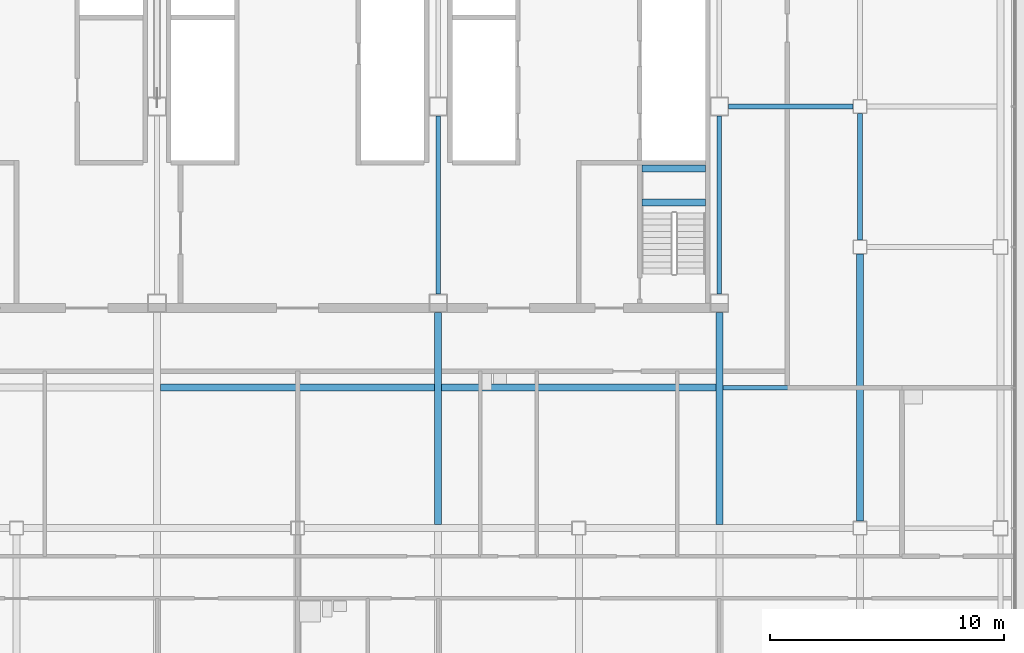
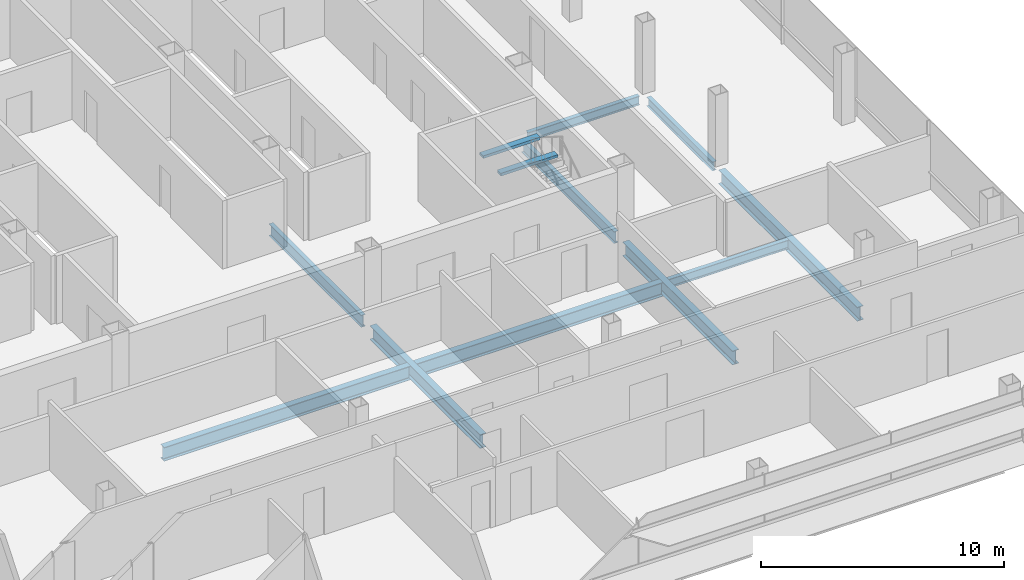
# One storey, part 10 of 26: 12 beams.
"""IFC4 building model written with IfcOpenShell, lengths in metres."""

from ifc_helpers import new_model, si_unit, direction, frame, origin, origin_2d, place, context, subcontext, project, spatial, rectangle, i_section, extrude, material, material_profile, profile_set, type_object, element, save


model = new_model("IFC4")

# Units and contexts
model_context = context("Model", 3, precision=1e-05, world=origin(), true_north=direction((0.0, 1.0)))
body_context = subcontext(model_context, "Body", "Model", "MODEL_VIEW")
ifc_project = project(units=[si_unit("LENGTHUNIT", "METRE"), si_unit("AREAUNIT", "SQUARE_METRE"), si_unit("VOLUMEUNIT", "CUBIC_METRE"), si_unit("PLANEANGLEUNIT", "RADIAN"), si_unit("MASSUNIT", "GRAM", prefix="KILO")], contexts=[model_context])

# Site, building, storey
site_placement = place(None, origin())
site = spatial("IfcSite", under=ifc_project, at=site_placement, CompositionType="ELEMENT")
building_placement = place(site_placement, origin())
building = spatial("IfcBuilding", under=site, at=building_placement, Name="Sorahane Residences", CompositionType="ELEMENT")
storey_placement = place(building_placement, frame((0.0, 0.0, 215.39990234375)))
storey = spatial("IfcBuildingStorey", under=building, at=storey_placement, Name="L50", CompositionType="ELEMENT", Elevation=215.39990234375)

# Beams
ifc_material_1 = material(Name="Concrete C40", Category="concrete")
ifc_material_profile_1 = material_profile(ifc_material_1, rectangle(XDim=0.300048828125, YDim=0.139892578125, at=origin_2d()), Name="300x140")
ifc_profile_set_1 = profile_set([ifc_material_profile_1], Name="Concrete C40")
beam_type_1 = type_object("IfcBeamType", Name="RC landing beam 300 x 140 Concrete C40", PredefinedType="BEAM", material=ifc_profile_set_1)
for number, where, z_axis, x_axis, name in (
    (1, (38.699951171875, 25.89990234375, 1.530029296875), (1.0, 0.0, 0.0), (0.0, 1.0, 0.0), "Landing beam"),
    (2, (38.699951171875, 27.35009765625, 1.530029296875), (1.0, 0.0, 0.0), (0.0, 1.0, 0.0), "Landing beam"),
):
    element("IfcBeam", number, at=place(storey_placement, frame(where, z_axis=z_axis, x_axis=x_axis)), inside=storey, type_object=beam_type_1, Name=name, PredefinedType="BEAM", context=body_context, shape_type="SweptSolid", body=[
        extrude(rectangle(XDim=0.300048828125, YDim=0.139892578125, at=origin_2d()), origin(), (0.0, 0.0, 1.0), 2.699951171875),
    ])
ifc_material_2 = material(Name="Steel Q355B", Category="steel")
ifc_material_profile_2 = material_profile(ifc_material_2, i_section(OverallWidth=0.199951171875, OverallDepth=0.449951171875, WebThickness=0.009033203125, FlangeThickness=0.013916015625, FilletRadius=0.02001953125, at=origin_2d()), Name="HN 450x200x9x14")
ifc_profile_set_2 = profile_set([ifc_material_profile_2], Name="Steel Q355B")
beam_type_2 = type_object("IfcBeamType", Name="Steel floor beam HN 450x200x9x14 Q355B", PredefinedType="BEAM", material=ifc_profile_set_2)
beam_1_placement = place(storey_placement, frame((48.0, 24.300048828125, -0.40478515625), z_axis=(0.0, 1.0, 0.0), x_axis=(-1.0, 0.0, 0.0)))
element("IfcBeam", 3, at=beam_1_placement, inside=storey, type_object=beam_type_2, Name="Beam L50 060", PredefinedType="BEAM", context=body_context, shape_type="SweptSolid", body=[
    extrude(i_section(OverallWidth=0.199951171875, OverallDepth=0.449951171875, WebThickness=0.009033203125, FlangeThickness=0.013916015625, FilletRadius=0.02001953125, at=origin_2d()), origin(), (0.0, 0.0, 1.0), 5.39990234375),
])
beam_2_placement = place(storey_placement, frame((42.14990234375, 18.0, -0.40478515625), z_axis=(1.0, 0.0, 0.0), x_axis=(0.0, 1.0, 0.0)))
element("IfcBeam", 4, at=beam_2_placement, inside=storey, type_object=beam_type_2, Name="Beam L50 083", PredefinedType="BEAM", context=body_context, shape_type="SweptSolid", body=[
    extrude(i_section(OverallWidth=0.199951171875, OverallDepth=0.449951171875, WebThickness=0.009033203125, FlangeThickness=0.013916015625, FilletRadius=0.02001953125, at=origin_2d()), origin(), (0.0, 0.0, 1.0), 5.7001953125),
])
beam_3_placement = place(storey_placement, frame((42.39990234375, 30.0, -0.40478515625), z_axis=(1.0, 0.0, 0.0), x_axis=(0.0, 1.0, 0.0)))
element("IfcBeam", 5, at=beam_3_placement, inside=storey, type_object=beam_type_2, Name="Beam L50 087", PredefinedType="BEAM", context=body_context, shape_type="SweptSolid", body=[
    extrude(i_section(OverallWidth=0.199951171875, OverallDepth=0.449951171875, WebThickness=0.009033203125, FlangeThickness=0.013916015625, FilletRadius=0.02001953125, at=origin_2d()), origin(), (0.0, 0.0, 1.0), 5.300048828125),
])
ifc_material_3 = material(Name="Steel Q355B", Category="steel")
ifc_material_profile_3 = material_profile(ifc_material_3, i_section(OverallWidth=0.199951171875, OverallDepth=0.60009765625, WebThickness=0.010986328125, FlangeThickness=0.01708984375, FilletRadius=0.02392578125, at=origin_2d()), Name="HN 600x200x11x17")
ifc_profile_set_3 = profile_set([ifc_material_profile_3], Name="Steel Q355B")
beam_type_3 = type_object("IfcBeamType", Name="Steel floor beam HN 600x200x11x17 Q355B", PredefinedType="BEAM", material=ifc_profile_set_3)
for number, where, z_axis, x_axis, name in (
    (6, (30.0, 22.0, -0.47998046875), (0.0, 1.0, 0.0), (-1.0, 0.0, 0.0), "Beam L50 046"),
    (7, (42.0, 22.0, -0.47998046875), (0.0, 1.0, 0.0), (-1.0, 0.0, 0.0), "Beam L50 054"),
):
    element("IfcBeam", number, at=place(storey_placement, frame(where, z_axis=z_axis, x_axis=x_axis)), inside=storey, type_object=beam_type_3, Name=name, PredefinedType="BEAM", context=body_context, shape_type="SweptSolid", body=[
        extrude(i_section(OverallWidth=0.199951171875, OverallDepth=0.60009765625, WebThickness=0.010986328125, FlangeThickness=0.01708984375, FilletRadius=0.02392578125, at=origin_2d()), origin(), (0.0, 0.0, 1.0), 7.60009765625),
    ])
ifc_material_4 = material(Name="Steel Q355B", Category="steel")
ifc_material_profile_4 = material_profile(ifc_material_4, i_section(OverallWidth=0.300048828125, OverallDepth=0.699951171875, WebThickness=0.012939453125, FlangeThickness=0.02392578125, FilletRadius=0.028076171875, at=origin_2d()), Name="HN 700x300x13x24")
ifc_profile_set_4 = profile_set([ifc_material_profile_4], Name="Steel Q355B")
beam_type_4 = type_object("IfcBeamType", Name="Steel floor beam HN 700x300x13x24 Q355B", PredefinedType="BEAM", material=ifc_profile_set_4)
for number, where, z_axis, x_axis, name in (
    (8, (30.0, 12.14990234375, -0.52978515625), (0.0, 1.0, 0.0), (-1.0, 0.0, 0.0), "Beam L50 045"),
    (9, (42.0, 12.14990234375, -0.52978515625), (0.0, 1.0, 0.0), (-1.0, 0.0, 0.0), "Beam L50 053"),
):
    element("IfcBeam", number, at=place(storey_placement, frame(where, z_axis=z_axis, x_axis=x_axis)), inside=storey, type_object=beam_type_4, Name=name, PredefinedType="BEAM", context=body_context, shape_type="SweptSolid", body=[
        extrude(i_section(OverallWidth=0.300048828125, OverallDepth=0.699951171875, WebThickness=0.012939453125, FlangeThickness=0.02392578125, FilletRadius=0.028076171875, at=origin_2d()), origin(), (0.0, 0.0, 1.0), 9.050048828125),
    ])
beam_4_placement = place(storey_placement, frame((48.0, 12.300048828125, -0.52978515625), z_axis=(0.0, 1.0, 0.0), x_axis=(-1.0, 0.0, 0.0)))
element("IfcBeam", 10, at=beam_4_placement, inside=storey, type_object=beam_type_4, Name="Beam L50 059", PredefinedType="BEAM", context=body_context, shape_type="SweptSolid", body=[
    extrude(i_section(OverallWidth=0.300048828125, OverallDepth=0.699951171875, WebThickness=0.012939453125, FlangeThickness=0.02392578125, FilletRadius=0.028076171875, at=origin_2d()), origin(), (0.0, 0.0, 1.0), 11.39990234375),
])
for number, where, z_axis, x_axis, name in (
    (11, (18.14990234375, 18.0, -0.52978515625), (1.0, 0.0, 0.0), (0.0, 1.0, 0.0), "Beam L50 081"),
    (12, (30.14990234375, 18.0, -0.52978515625), (1.0, 0.0, 0.0), (0.0, 1.0, 0.0), "Beam L50 082"),
):
    element("IfcBeam", number, at=place(storey_placement, frame(where, z_axis=z_axis, x_axis=x_axis)), inside=storey, type_object=beam_type_4, Name=name, PredefinedType="BEAM", context=body_context, shape_type="SweptSolid", body=[
        extrude(i_section(OverallWidth=0.300048828125, OverallDepth=0.699951171875, WebThickness=0.012939453125, FlangeThickness=0.02392578125, FilletRadius=0.028076171875, at=origin_2d()), origin(), (0.0, 0.0, 1.0), 11.7001953125),
    ])

save(model, "model.ifc")
